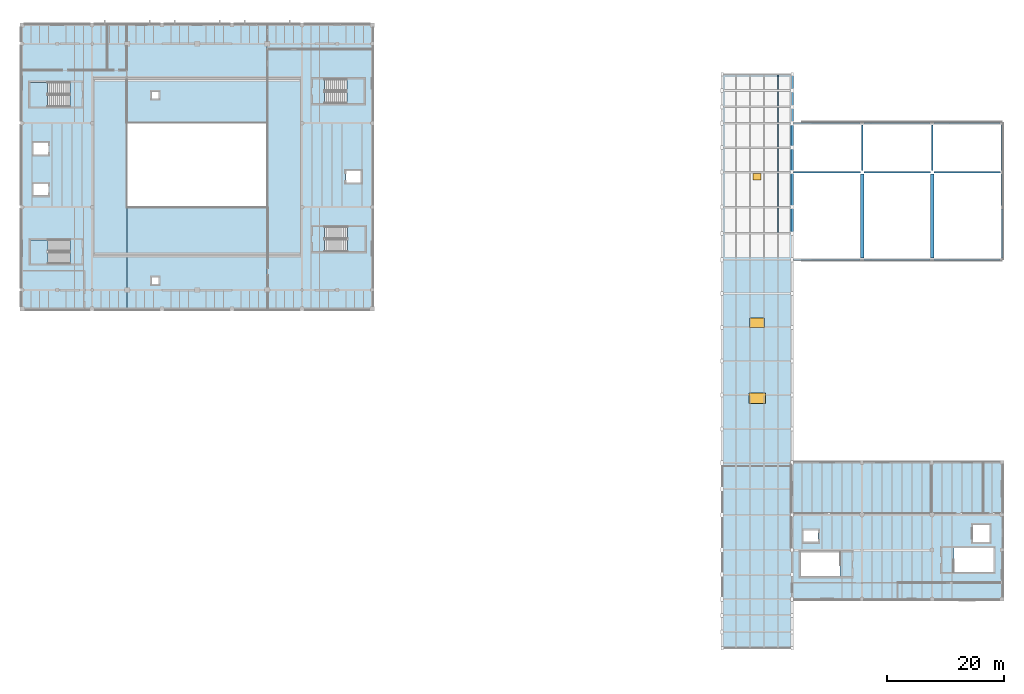
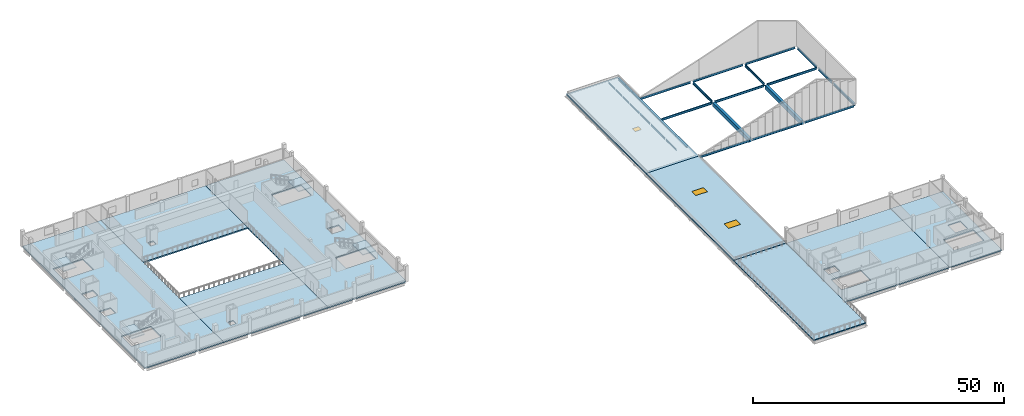
# One storey, part 5 of 19: 30 beams, 13 slabs, 2 windows, 1 door, 3 openings, 4 elements without a shape of their own.
"""IFC4 building model written with IfcOpenShell, lengths in metres."""

from ifc_helpers import new_model, si_unit, direction, frame, origin, origin_2d, place, context, subcontext, project, spatial, polyline, rectangle, i_section, outline, extrude, material, layer, layer_set, material_profile, profile_set, type_object, element, fill, aggregate, save


model = new_model("IFC4")

# Units and contexts
model_context = context("Model", 3, precision=1e-05, world=origin(), true_north=direction((0.0, 1.0)))
body_context = subcontext(model_context, "Body", "Model", "MODEL_VIEW")
ifc_project = project(units=[si_unit("LENGTHUNIT", "METRE"), si_unit("AREAUNIT", "SQUARE_METRE"), si_unit("VOLUMEUNIT", "CUBIC_METRE"), si_unit("PLANEANGLEUNIT", "RADIAN"), si_unit("MASSUNIT", "GRAM", prefix="KILO")], contexts=[model_context])

# Site, building, storey
site_placement = place(None, origin())
site = spatial("IfcSite", under=ifc_project, at=site_placement, CompositionType="ELEMENT")
building_placement = place(site_placement, origin())
building = spatial("IfcBuilding", under=site, at=building_placement, Name="Kelmvaro Bay Concert Hall", CompositionType="ELEMENT")
storey_placement = place(building_placement, frame((0.0, 0.0, 18.300048828125)))
storey = spatial("IfcBuildingStorey", under=building, at=storey_placement, Name="L04", CompositionType="ELEMENT", Elevation=18.300048828125)

# Beams
ifc_material_1 = material(Name="Steel ASTM A992 Grade 50", Category="steel")
ifc_material_profile_1 = material_profile(ifc_material_1, i_section(OverallWidth=0.40087890625, OverallDepth=0.39404296875, WebThickness=0.022705078125, FlangeThickness=0.03662109375, at=origin_2d()), Name="W14X193")
ifc_profile_set_1 = profile_set([ifc_material_profile_1], Name="Steel ASTM A992 Grade 50")
beam_type_1 = type_object("IfcBeamType", Name="Bridge Cantilever Chord W14x193", PredefinedType="BEAM", material=ifc_profile_set_1)
for number, where, z_axis, x_axis, name in (
    (1, (132.0, 97.199951171875, -0.47705078125), (0.0, 1.0, 0.0), (-1.0, 0.0, 0.0), "Bridge Truss E Top Chord 20"),
    (2, (132.0, 100.0, -0.47705078125), (0.0, 1.0, 0.0), (-1.0, 0.0, 0.0), "Bridge Truss E Top Chord 21"),
    (3, (132.0, 102.800048828125, -0.47705078125), (0.0, 1.0, 0.0), (-1.0, 0.0, 0.0), "Bridge Truss E Top Chord 22"),
):
    element("IfcBeam", number, at=place(storey_placement, frame(where, z_axis=z_axis, x_axis=x_axis)), inside=storey, type_object=beam_type_1, Name=name, PredefinedType="BEAM", context=body_context, shape_type="SweptSolid", body=[
        extrude(i_section(OverallWidth=0.40087890625, OverallDepth=0.39404296875, WebThickness=0.022705078125, FlangeThickness=0.03662109375, at=origin_2d()), origin(), (0.0, 0.0, 1.0), 2.800048828125),
    ])
ifc_material_2 = material(Name="Steel ASTM A992 Grade 50", Category="steel")
ifc_material_profile_2 = material_profile(ifc_material_2, i_section(OverallWidth=0.177978515625, OverallDepth=0.406005859375, WebThickness=0.0078125, FlangeThickness=0.0126953125, at=origin_2d()), Name="W16X40")
ifc_profile_set_2 = profile_set([ifc_material_profile_2], Name="Steel ASTM A992 Grade 50")
beam_type_2 = type_object("IfcBeamType", Name="Bridge Deck Floor Joist W16x40", PredefinedType="JOIST", material=ifc_profile_set_2)
beam_1_placement = place(storey_placement, frame((129.60009765625, 78.43359375, -0.483154296875), z_axis=(0.0, 1.0, 0.0), x_axis=(-1.0, 0.0, 0.0)))
element("IfcBeam", 4, at=beam_1_placement, inside=storey, type_object=beam_type_2, Name="Bridge Deck Joist L04-16", PredefinedType="JOIST", context=body_context, shape_type="SweptSolid", body=[
    extrude(i_section(OverallWidth=0.177978515625, OverallDepth=0.406005859375, WebThickness=0.0078125, FlangeThickness=0.0126953125, at=origin_2d()), origin(), (0.0, 0.0, 1.0), 4.23291015625),
])
beam_2_placement = place(storey_placement, frame((129.60009765625, 82.93359375, -0.483154296875), z_axis=(0.0, 1.0, 0.0), x_axis=(-1.0, 0.0, 0.0)))
element("IfcBeam", 5, at=beam_2_placement, inside=storey, type_object=beam_type_2, Name="Bridge Deck Joist L04-17", PredefinedType="JOIST", context=body_context, shape_type="SweptSolid", body=[
    extrude(i_section(OverallWidth=0.177978515625, OverallDepth=0.406005859375, WebThickness=0.0078125, FlangeThickness=0.0126953125, at=origin_2d()), origin(), (0.0, 0.0, 1.0), 5.73291015625),
])
for number, where, z_axis, x_axis, name in (
    (6, (129.60009765625, 88.93359375, -0.483154296875), (0.0, 1.0, 0.0), (-1.0, 0.0, 0.0), "Bridge Deck Joist L04-18"),
    (7, (129.60009765625, 93.133544921875, -0.483154296875), (0.0, 1.0, 0.0), (-1.0, 0.0, 0.0), "Bridge Deck Joist L04-19"),
):
    element("IfcBeam", number, at=place(storey_placement, frame(where, z_axis=z_axis, x_axis=x_axis)), inside=storey, type_object=beam_type_2, Name=name, PredefinedType="JOIST", context=body_context, shape_type="SweptSolid", body=[
        extrude(i_section(OverallWidth=0.177978515625, OverallDepth=0.406005859375, WebThickness=0.0078125, FlangeThickness=0.0126953125, at=origin_2d()), origin(), (0.0, 0.0, 1.0), 3.932861328125),
    ])
for number, where, z_axis, x_axis, name in (
    (8, (129.60009765625, 97.33349609375, -0.483154296875), (0.0, 1.0, 0.0), (-1.0, 0.0, 0.0), "Bridge Deck Joist L04-20"),
    (9, (129.60009765625, 100.133544921875, -0.483154296875), (0.0, 1.0, 0.0), (-1.0, 0.0, 0.0), "Bridge Deck Joist L04-21"),
    (10, (129.60009765625, 102.93359375, -0.483154296875), (0.0, 1.0, 0.0), (-1.0, 0.0, 0.0), "Bridge Deck Joist L04-22"),
):
    element("IfcBeam", number, at=place(storey_placement, frame(where, z_axis=z_axis, x_axis=x_axis)), inside=storey, type_object=beam_type_2, Name=name, PredefinedType="JOIST", context=body_context, shape_type="SweptSolid", body=[
        extrude(i_section(OverallWidth=0.177978515625, OverallDepth=0.406005859375, WebThickness=0.0078125, FlangeThickness=0.0126953125, at=origin_2d()), origin(), (0.0, 0.0, 1.0), 2.532958984375),
    ])
ifc_material_3 = material(Name="Steel ASTM A992 Grade 50", Category="steel")
ifc_material_profile_3 = material_profile(ifc_material_3, i_section(OverallWidth=0.40087890625, OverallDepth=0.39892578125, WebThickness=0.02490234375, FlangeThickness=0.03955078125, at=origin_2d()), Name="W14X211")
ifc_profile_set_3 = profile_set([ifc_material_profile_3], Name="Steel ASTM A992 Grade 50")
beam_type_3 = type_object("IfcBeamType", Name="Bridge Truss Top Chord W14x211", PredefinedType="BEAM", material=ifc_profile_set_3)
beam_3_placement = place(storey_placement, frame((132.0, 78.300048828125, -0.4794921875), z_axis=(0.0, 1.0, 0.0), x_axis=(-1.0, 0.0, 0.0)))
element("IfcBeam", 11, at=beam_3_placement, inside=storey, type_object=beam_type_3, Name="Bridge Truss E Top Chord 16", PredefinedType="BEAM", context=body_context, shape_type="SweptSolid", body=[
    extrude(i_section(OverallWidth=0.40087890625, OverallDepth=0.39892578125, WebThickness=0.02490234375, FlangeThickness=0.03955078125, at=origin_2d()), origin(), (0.0, 0.0, 1.0), 4.5),
])
beam_4_placement = place(storey_placement, frame((132.0, 82.800048828125, -0.4794921875), z_axis=(0.0, 1.0, 0.0), x_axis=(-1.0, 0.0, 0.0)))
element("IfcBeam", 12, at=beam_4_placement, inside=storey, type_object=beam_type_3, Name="Bridge Truss E Top Chord 17", PredefinedType="BEAM", context=body_context, shape_type="SweptSolid", body=[
    extrude(i_section(OverallWidth=0.40087890625, OverallDepth=0.39892578125, WebThickness=0.02490234375, FlangeThickness=0.03955078125, at=origin_2d()), origin(), (0.0, 0.0, 1.0), 6.0),
])
for number, where, z_axis, x_axis, name in (
    (13, (132.0, 88.800048828125, -0.4794921875), (0.0, 1.0, 0.0), (-1.0, 0.0, 0.0), "Bridge Truss E Top Chord 18"),
    (14, (132.0, 93.0, -0.4794921875), (0.0, 1.0, 0.0), (-1.0, 0.0, 0.0), "Bridge Truss E Top Chord 19"),
):
    element("IfcBeam", number, at=place(storey_placement, frame(where, z_axis=z_axis, x_axis=x_axis)), inside=storey, type_object=beam_type_3, Name=name, PredefinedType="BEAM", context=body_context, shape_type="SweptSolid", body=[
        extrude(i_section(OverallWidth=0.40087890625, OverallDepth=0.39892578125, WebThickness=0.02490234375, FlangeThickness=0.03955078125, at=origin_2d()), origin(), (0.0, 0.0, 1.0), 4.199951171875),
    ])
ifc_material_4 = material(Name="Steel ASTM A992 Grade 50", Category="steel")
ifc_material_profile_4 = material_profile(ifc_material_4, i_section(OverallWidth=0.2099609375, OverallDepth=0.535888671875, WebThickness=0.010986328125, FlangeThickness=0.017333984375, at=origin_2d()), Name="W21X68")
ifc_profile_set_4 = profile_set([ifc_material_profile_4], Name="Steel ASTM A992 Grade 50")
beam_type_4 = type_object("IfcBeamType", Name="Crystal Roof Tie Girder W21x68", PredefinedType="BEAM", material=ifc_profile_set_4)
beam_5_placement = place(storey_placement, frame((132.200439453125, 73.800048828125, -0.26806640625), z_axis=(1.0, 0.0, 0.0), x_axis=(0.0, 1.0, 0.0)))
element("IfcBeam", 15, at=beam_5_placement, inside=storey, type_object=beam_type_4, Name="L04 Girder BM-L04-EW-1727", PredefinedType="BEAM", context=body_context, shape_type="SweptSolid", body=[
    extrude(i_section(OverallWidth=0.2099609375, OverallDepth=0.535888671875, WebThickness=0.010986328125, FlangeThickness=0.017333984375, at=origin_2d()), origin(), (0.0, 0.0, 1.0), 11.474609375),
])
for number, where, z_axis, x_axis, name in (
    (16, (144.324951171875, 73.800048828125, -0.26806640625), (1.0, 0.0, 0.0), (0.0, 1.0, 0.0), "L04 Girder BM-L04-EW-1728"),
    (17, (156.324951171875, 73.800048828125, -0.26806640625), (1.0, 0.0, 0.0), (0.0, 1.0, 0.0), "L04 Girder BM-L04-EW-1729"),
):
    element("IfcBeam", number, at=place(storey_placement, frame(where, z_axis=z_axis, x_axis=x_axis)), inside=storey, type_object=beam_type_4, Name=name, PredefinedType="BEAM", context=body_context, shape_type="SweptSolid", body=[
        extrude(i_section(OverallWidth=0.2099609375, OverallDepth=0.535888671875, WebThickness=0.010986328125, FlangeThickness=0.017333984375, at=origin_2d()), origin(), (0.0, 0.0, 1.0), 11.35009765625),
    ])
beam_6_placement = place(storey_placement, frame((132.200439453125, 88.800048828125, -0.26806640625), z_axis=(1.0, 0.0, 0.0), x_axis=(0.0, 1.0, 0.0)))
element("IfcBeam", 18, at=beam_6_placement, inside=storey, type_object=beam_type_4, Name="L04 Girder BM-L04-EW-1732", PredefinedType="BEAM", context=body_context, shape_type="SweptSolid", body=[
    extrude(i_section(OverallWidth=0.2099609375, OverallDepth=0.535888671875, WebThickness=0.010986328125, FlangeThickness=0.017333984375, at=origin_2d()), origin(), (0.0, 0.0, 1.0), 11.49951171875),
])
for number, where, z_axis, x_axis, name in (
    (19, (144.300048828125, 88.800048828125, -0.26806640625), (1.0, 0.0, 0.0), (0.0, 1.0, 0.0), "L04 Girder BM-L04-EW-1733"),
    (20, (156.300048828125, 88.800048828125, -0.26806640625), (1.0, 0.0, 0.0), (0.0, 1.0, 0.0), "L04 Girder BM-L04-EW-1734"),
):
    element("IfcBeam", number, at=place(storey_placement, frame(where, z_axis=z_axis, x_axis=x_axis)), inside=storey, type_object=beam_type_4, Name=name, PredefinedType="BEAM", context=body_context, shape_type="SweptSolid", body=[
        extrude(i_section(OverallWidth=0.2099609375, OverallDepth=0.535888671875, WebThickness=0.010986328125, FlangeThickness=0.017333984375, at=origin_2d()), origin(), (0.0, 0.0, 1.0), 11.39990234375),
    ])
beam_7_placement = place(storey_placement, frame((132.200439453125, 97.199951171875, -0.26806640625), z_axis=(1.0, 0.0, 0.0), x_axis=(0.0, 1.0, 0.0)))
element("IfcBeam", 21, at=beam_7_placement, inside=storey, type_object=beam_type_4, Name="L04 Girder BM-L04-EW-1737", PredefinedType="BEAM", context=body_context, shape_type="SweptSolid", body=[
    extrude(i_section(OverallWidth=0.2099609375, OverallDepth=0.535888671875, WebThickness=0.010986328125, FlangeThickness=0.017333984375, at=origin_2d()), origin(), (0.0, 0.0, 1.0), 11.474609375),
])
for number, where, z_axis, x_axis, name in (
    (22, (144.324951171875, 97.199951171875, -0.26806640625), (1.0, 0.0, 0.0), (0.0, 1.0, 0.0), "L04 Girder BM-L04-EW-1738"),
    (23, (156.324951171875, 97.199951171875, -0.26806640625), (1.0, 0.0, 0.0), (0.0, 1.0, 0.0), "L04 Girder BM-L04-EW-1739"),
):
    element("IfcBeam", number, at=place(storey_placement, frame(where, z_axis=z_axis, x_axis=x_axis)), inside=storey, type_object=beam_type_4, Name=name, PredefinedType="BEAM", context=body_context, shape_type="SweptSolid", body=[
        extrude(i_section(OverallWidth=0.2099609375, OverallDepth=0.535888671875, WebThickness=0.010986328125, FlangeThickness=0.017333984375, at=origin_2d()), origin(), (0.0, 0.0, 1.0), 11.35009765625),
    ])
ifc_material_5 = material(Name="Steel ASTM A992 Grade 50", Category="steel")
ifc_material_profile_5 = material_profile(ifc_material_5, i_section(OverallWidth=0.323974609375, OverallDepth=0.611083984375, WebThickness=0.0126953125, FlangeThickness=0.01904296875, at=origin_2d()), Name="W24X104")
ifc_profile_set_5 = profile_set([ifc_material_profile_5], Name="Steel ASTM A992 Grade 50")
beam_type_5 = type_object("IfcBeamType", Name="Foyer Frame Girder W24x104", PredefinedType="BEAM", material=ifc_profile_set_5)
beam_8_placement = place(storey_placement, frame((168.0, 74.125, -0.3056640625), z_axis=(0.0, 1.0, 0.0), x_axis=(-1.0, 0.0, 0.0)))
element("IfcBeam", 24, at=beam_8_placement, inside=storey, type_object=beam_type_5, Name="L04 Girder BM-L04-NS-1785", PredefinedType="BEAM", context=body_context, shape_type="SweptSolid", body=[
    extrude(i_section(OverallWidth=0.323974609375, OverallDepth=0.611083984375, WebThickness=0.0126953125, FlangeThickness=0.01904296875, at=origin_2d()), origin(), (0.0, 0.0, 1.0), 8.375),
])
ifc_material_6 = material(Name="Concrete C40/50", Category="concrete")
ifc_material_profile_6 = material_profile(ifc_material_6, rectangle(XDim=0.60009765625, YDim=0.949951171875, at=origin_2d()), Name="RC-BM-600X950")
ifc_profile_set_6 = profile_set([ifc_material_profile_6], Name="Concrete C40/50")
beam_type_6 = type_object("IfcBeamType", Name="Hall Primary Girder RC600x950", PredefinedType="BEAM", material=ifc_profile_set_6)
for number, where, z_axis, x_axis, name in (
    (25, (144.0, 74.125, -0.47509765625), (0.0, 1.0, 0.0), (-1.0, 0.0, 0.0), "L04 Girder BM-L04-NS-1775"),
    (26, (156.0, 74.125, -0.47509765625), (0.0, 1.0, 0.0), (-1.0, 0.0, 0.0), "L04 Girder BM-L04-NS-1780"),
):
    element("IfcBeam", number, at=place(storey_placement, frame(where, z_axis=z_axis, x_axis=x_axis)), inside=storey, type_object=beam_type_6, Name=name, PredefinedType="BEAM", context=body_context, shape_type="SweptSolid", body=[
        extrude(rectangle(XDim=0.60009765625, YDim=0.949951171875, at=origin_2d()), origin(), (0.0, 0.0, 1.0), 14.375),
    ])
ifc_material_7 = material(Name="Steel ASTM A992 Grade 50", Category="steel")
ifc_material_profile_7 = material_profile(ifc_material_7, i_section(OverallWidth=0.22900390625, OverallDepth=0.612060546875, WebThickness=0.011962890625, FlangeThickness=0.01953125, at=origin_2d()), Name="W24X84")
ifc_profile_set_7 = profile_set([ifc_material_profile_7], Name="Steel ASTM A992 Grade 50")
beam_type_7 = type_object("IfcBeamType", Name="Terrace Edge Girder W24x84", PredefinedType="BEAM", material=ifc_profile_set_7)
for number, where, z_axis, x_axis, name in (
    (27, (144.0, 89.10009765625, -0.30615234375), (0.0, 1.0, 0.0), (-1.0, 0.0, 0.0), "L04 Girder BM-L04-NS-1776"),
    (28, (156.0, 89.10009765625, -0.30615234375), (0.0, 1.0, 0.0), (-1.0, 0.0, 0.0), "L04 Girder BM-L04-NS-1781"),
):
    element("IfcBeam", number, at=place(storey_placement, frame(where, z_axis=z_axis, x_axis=x_axis)), inside=storey, type_object=beam_type_7, Name=name, PredefinedType="BEAM", context=body_context, shape_type="SweptSolid", body=[
        extrude(i_section(OverallWidth=0.22900390625, OverallDepth=0.612060546875, WebThickness=0.011962890625, FlangeThickness=0.01953125, at=origin_2d()), origin(), (0.0, 0.0, 1.0), 7.77490234375),
    ])
beam_9_placement = place(storey_placement, frame((168.0, 83.10009765625, -0.30615234375), z_axis=(0.0, 1.0, 0.0), x_axis=(-1.0, 0.0, 0.0)))
element("IfcBeam", 29, at=beam_9_placement, inside=storey, type_object=beam_type_7, Name="L04 Girder BM-L04-NS-1786", PredefinedType="BEAM", context=body_context, shape_type="SweptSolid", body=[
    extrude(i_section(OverallWidth=0.22900390625, OverallDepth=0.612060546875, WebThickness=0.011962890625, FlangeThickness=0.01953125, at=origin_2d()), origin(), (0.0, 0.0, 1.0), 5.39990234375),
])
beam_10_placement = place(storey_placement, frame((168.0, 89.10009765625, -0.30615234375), z_axis=(0.0, 1.0, 0.0), x_axis=(-1.0, 0.0, 0.0)))
element("IfcBeam", 30, at=beam_10_placement, inside=storey, type_object=beam_type_7, Name="L04 Girder BM-L04-NS-1787", PredefinedType="BEAM", context=body_context, shape_type="SweptSolid", body=[
    extrude(i_section(OverallWidth=0.22900390625, OverallDepth=0.612060546875, WebThickness=0.011962890625, FlangeThickness=0.01953125, at=origin_2d()), origin(), (0.0, 0.0, 1.0), 7.77490234375),
])

# Slabs
ifc_material_8 = material(Name="Concrete C40/50", Category="concrete")
ifc_layer_1 = layer(ifc_material_8, 0.300048828125)
ifc_layer_set_1 = layer_set([ifc_layer_1], Name="Concrete C40/50")
slab_type_1 = type_object("IfcSlabType", Name="Auditorium Tier Structural Slab 300", PredefinedType="FLOOR", material=ifc_layer_set_1)
slab_1_placement = place(storey_placement, frame((0.0, 0.0, -0.300048828125)))
element("IfcSlab", 31, at=slab_1_placement, inside=storey, type_object=slab_type_1, Name="L04 Structural Slab V1-W", PredefinedType="FLOOR", context=body_context, shape_type="SweptSolid", body=[
    extrude(outline(polyline([(0.0, 65.39990234375), (18.0, 65.39990234375), (18.0, 114.0), (0.0, 114.0), (0.0, 65.39990234375)]), holes=[polyline([(1.45068359375, 73.090576171875), (8.219482421875, 73.090576171875), (8.219482421875, 77.199462890625), (1.45068359375, 77.199462890625), (1.45068359375, 73.090576171875)]), polyline([(1.3505859375, 100.010498046875), (8.179443359375, 100.010498046875), (8.179443359375, 104.199462890625), (1.3505859375, 104.199462890625), (1.3505859375, 100.010498046875)]), polyline([(1.925048828125, 84.800048828125), (4.47509765625, 84.800048828125), (4.47509765625, 86.800048828125), (1.925048828125, 86.800048828125), (1.925048828125, 84.800048828125)]), polyline([(1.925048828125, 91.800048828125), (4.47509765625, 91.800048828125), (4.47509765625, 93.800048828125), (1.925048828125, 93.800048828125), (1.925048828125, 91.800048828125)])]), origin(), (0.0, 0.0, 1.0), 0.300048828125),
])
slab_2_placement = place(storey_placement, frame((0.0, 0.0, -0.300048828125)))
element("IfcSlab", 32, at=slab_2_placement, inside=storey, type_object=slab_type_1, Name="L04 Structural Slab V1-M", PredefinedType="FLOOR", context=body_context, shape_type="SweptSolid", body=[
    extrude(outline(polyline([(18.0, 65.39990234375), (42.0, 65.39990234375), (42.0, 82.800048828125), (18.0, 82.800048828125), (18.0, 65.39990234375)]), holes=[polyline([(22.199951171875, 69.60009765625), (23.39990234375, 69.60009765625), (23.39990234375, 70.800048828125), (22.199951171875, 70.800048828125), (22.199951171875, 69.60009765625)])]), origin(), (0.0, 0.0, 1.0), 0.300048828125),
])
slab_3_placement = place(storey_placement, frame((0.0, 0.0, -0.300048828125)))
element("IfcSlab", 33, at=slab_3_placement, inside=storey, type_object=slab_type_1, Name="L04 Structural Slab V1-N", PredefinedType="FLOOR", context=body_context, shape_type="SweptSolid", body=[
    extrude(outline(polyline([(18.0, 97.199951171875), (42.0, 97.199951171875), (42.0, 114.0), (18.0, 114.0), (18.0, 97.199951171875)]), holes=[polyline([(22.199951171875, 101.39990234375), (23.39990234375, 101.39990234375), (23.39990234375, 102.60009765625), (22.199951171875, 102.60009765625), (22.199951171875, 101.39990234375)])]), origin(), (0.0, 0.0, 1.0), 0.300048828125),
])
slab_4_placement = place(storey_placement, frame((0.0, 0.0, -0.300048828125)))
element("IfcSlab", 34, at=slab_4_placement, inside=storey, type_object=slab_type_1, Name="L04 Structural Slab V1-E", PredefinedType="FLOOR", context=body_context, shape_type="SweptSolid", body=[
    extrude(outline(polyline([(42.0, 65.39990234375), (60.0, 65.39990234375), (60.0, 114.0), (42.0, 114.0), (42.0, 65.39990234375)]), holes=[polyline([(51.800537109375, 100.6005859375), (58.599365234375, 100.6005859375), (58.599365234375, 104.74951171875), (51.800537109375, 104.74951171875), (51.800537109375, 100.6005859375)]), polyline([(51.8505859375, 75.20068359375), (58.74951171875, 75.20068359375), (58.74951171875, 79.449462890625), (51.8505859375, 79.449462890625), (51.8505859375, 75.20068359375)]), polyline([(55.52490234375, 87.0), (58.074951171875, 87.0), (58.074951171875, 89.0), (55.52490234375, 89.0), (55.52490234375, 87.0)])]), origin(), (0.0, 0.0, 1.0), 0.300048828125),
])

# Slab, openings, windows
ifc_material_9 = material(Name="Concrete C40/50", Category="concrete")
ifc_layer_2 = layer(ifc_material_9, 0.340087890625)
ifc_layer_set_2 = layer_set([ifc_layer_2], Name="Concrete C40/50")
slab_type_2 = type_object("IfcSlabType", Name="Bridge Acoustic Roof Structural Slab 340", PredefinedType="ROOF", material=ifc_layer_set_2)
slab_5_placement = place(storey_placement, frame((0.0, 0.0, -0.280029296875)))
slab_5 = element("IfcSlab", 35, at=slab_5_placement, inside=storey, type_object=slab_type_2, Name="L04 Roof Slab RF-BRGM", PredefinedType="ROOF", context=body_context, shape_type="SweptSolid", body=[
    extrude(outline(polyline([(120.0, 39.0), (132.0, 39.0), (132.0, 73.800048828125), (120.0, 73.800048828125), (120.0, 39.0)])), origin(), (0.0, 0.0, 1.0), 0.340087890625),
])
opening_1_placement = place(slab_5_placement, frame((126.0, 50.0, 0.0)))
opening_1 = element("IfcOpeningElement", 36, at=opening_1_placement, cuts=slab_5, Name="Opening SK-02", PredefinedType="OPENING", context=body_context, shape_type="SweptSolid", body=[
    extrude(rectangle(XDim=2.800048828125, YDim=1.800048828125, at=origin_2d()), origin(), (0.0, 0.0, 1.0), 0.340087890625),
])
opening_2_placement = place(slab_5_placement, frame((126.0, 63.0, 0.0)))
opening_2 = element("IfcOpeningElement", 37, at=opening_2_placement, cuts=slab_5, Name="Opening SK-05", PredefinedType="OPENING", context=body_context, shape_type="SweptSolid", body=[
    extrude(rectangle(XDim=2.60009765625, YDim=1.60009765625, at=origin_2d()), origin(), (0.0, 0.0, 1.0), 0.340087890625),
])
ifc_material_10 = material(Name="Hurricane Laminated Insulated Skylight Glazing", Category="glass")
window_type_1 = type_object("IfcWindowType", Name="Canopy Promenade Skylight 2600x1600", PartitioningType="SINGLE_PANEL", PredefinedType="SKYLIGHT", material=ifc_material_10)
window_1_placement = place(opening_2_placement, frame((0.0, 0.0, 0.2900390625)))
window_1 = element("IfcWindow", 38, at=window_1_placement, inside=storey, type_object=window_type_1, Name="L04 Roof Skylight 09", OverallHeight=1.60009765625, OverallWidth=2.60009765625, PartitioningType="SINGLE_PANEL", PredefinedType="SKYLIGHT", context=body_context, shape_type="SweptSolid", body=[
    extrude(rectangle(XDim=2.60009765625, YDim=1.60009765625, at=origin_2d()), origin(), (0.0, 0.0, 1.0), 0.050048828125),
])
fill(opening_2, window_1)
ifc_material_11 = material(Name="Hurricane Laminated Insulated Skylight Glazing", Category="glass")
window_type_2 = type_object("IfcWindowType", Name="Concourse Lantern Skylight 2800x1800", PartitioningType="SINGLE_PANEL", PredefinedType="SKYLIGHT", material=ifc_material_11)
window_2_placement = place(opening_1_placement, frame((0.0, 0.0, 0.2900390625)))
window_2 = element("IfcWindow", 39, at=window_2_placement, inside=storey, type_object=window_type_2, Name="L04 Roof Skylight 08", OverallHeight=1.800048828125, OverallWidth=2.800048828125, PartitioningType="SINGLE_PANEL", PredefinedType="SKYLIGHT", context=body_context, shape_type="SweptSolid", body=[
    extrude(rectangle(XDim=2.800048828125, YDim=1.800048828125, at=origin_2d()), origin(), (0.0, 0.0, 1.0), 0.050048828125),
])
fill(opening_1, window_2)

# Slab, opening, door
slab_6_placement = place(storey_placement, frame((0.0, 0.0, -0.280029296875)))
slab_6 = element("IfcSlab", 40, at=slab_6_placement, inside=storey, type_object=slab_type_2, Name="L04 Roof Slab RF-BRGN", PredefinedType="ROOF", context=body_context, shape_type="SweptSolid", body=[
    extrude(outline(polyline([(120.0, 73.800048828125), (132.0, 73.800048828125), (132.0, 105.60009765625), (120.0, 105.60009765625), (120.0, 73.800048828125)])), origin(), (0.0, 0.0, 1.0), 0.340087890625),
])
opening_3_placement = place(slab_6_placement, frame((126.0, 88.0, 0.0)))
opening_3 = element("IfcOpeningElement", 41, at=opening_3_placement, cuts=slab_6, Name="Opening RH-02", PredefinedType="OPENING", context=body_context, shape_type="SweptSolid", body=[
    extrude(rectangle(XDim=1.39990234375, YDim=1.10009765625, at=origin_2d()), origin(), (0.0, 0.0, 1.0), 0.340087890625),
])
ifc_material_12 = material(Name="Insulated Powder-Coated Aluminium", Category="aluminium")
door_type = type_object("IfcDoorType", Name="Smoke Vent and Roof Access Hatch 1400x1100", OperationType="NOTDEFINED", PredefinedType="TRAPDOOR", material=ifc_material_12)
door_placement = place(opening_3_placement, frame((0.0, 0.0, 0.2900390625)))
door = element("IfcDoor", 42, at=door_placement, inside=storey, type_object=door_type, Name="L04 Roof Access Hatch 07", OperationType="SINGLE_SWING_LEFT", OverallHeight=1.10009765625, OverallWidth=1.39990234375, PredefinedType="TRAPDOOR", context=body_context, shape_type="SweptSolid", body=[
    extrude(rectangle(XDim=1.39990234375, YDim=1.10009765625, at=origin_2d()), origin(), (0.0, 0.0, 1.0), 0.050048828125),
])
fill(opening_3, door)

# Stair, slab
ifc_material_13 = material(Name="Concrete C40/50", Category="concrete")
stair_type_1 = type_object("IfcStairType", Name="Core Dogleg Exit Stair 1980", PredefinedType="USERDEFINED", material=ifc_material_13)
stair_1_placement = place(storey_placement, origin())
stair_1 = element("IfcStair", 43, at=stair_1_placement, inside=storey, type_object=stair_type_1, Name="L04 Exit Stair ST-01", ObjectType="TWO_RETURN_STAIR", PredefinedType="USERDEFINED")
ifc_material_14 = material(Name="Concrete C40/50", Category="concrete")
ifc_layer_3 = layer(ifc_material_14, 0.199951171875)
ifc_layer_set_3 = layer_set([ifc_layer_3], Name="Concrete C40/50")
slab_type_3 = type_object("IfcSlabType", Name="Core Stair Half-Landing Slab 200", PredefinedType="LANDING", material=ifc_layer_set_3)
slab_7_placement = place(storey_placement, frame((0.0, 0.0, 1.75)))
slab_7 = element("IfcSlab", 44, at=slab_7_placement, type_object=slab_type_3, Name="ST-01 landing 1", PredefinedType="LANDING", context=body_context, shape_type="SweptSolid", body=[
    extrude(outline(polyline([(4.39208984375, 77.199951171875), (1.449951171875, 77.199951171875), (1.449951171875, 73.090087890625), (4.39208984375, 73.090087890625), (4.39208984375, 77.199951171875)])), origin(), (0.0, 0.0, 1.0), 0.199951171875),
])
aggregate(stair_1, [slab_7])

ifc_material_15 = material(Name="Concrete C40/50", Category="concrete")
stair_type_2 = type_object("IfcStairType", Name="Core Dogleg Exit Stair 2000", PredefinedType="USERDEFINED", material=ifc_material_15)
stair_2_placement = place(storey_placement, origin())
stair_2 = element("IfcStair", 45, at=stair_2_placement, inside=storey, type_object=stair_type_2, Name="L04 Exit Stair ST-02", ObjectType="TWO_RETURN_STAIR", PredefinedType="USERDEFINED")
slab_8_placement = place(storey_placement, frame((0.0, 0.0, 1.75)))
slab_8 = element("IfcSlab", 46, at=slab_8_placement, type_object=slab_type_3, Name="ST-02 landing 1", PredefinedType="LANDING", context=body_context, shape_type="SweptSolid", body=[
    extrude(outline(polyline([(55.64990234375, 100.60009765625), (58.60009765625, 100.60009765625), (58.60009765625, 104.75), (55.64990234375, 104.75), (55.64990234375, 100.60009765625)])), origin(), (0.0, 0.0, 1.0), 0.199951171875),
])
aggregate(stair_2, [slab_8])

ifc_material_16 = material(Name="Concrete C40/50", Category="concrete")
stair_type_3 = type_object("IfcStairType", Name="Core Dogleg Exit Stair 2020", PredefinedType="USERDEFINED", material=ifc_material_16)
stair_3_placement = place(storey_placement, origin())
stair_3 = element("IfcStair", 47, at=stair_3_placement, inside=storey, type_object=stair_type_3, Name="L04 Exit Stair ST-03", ObjectType="TWO_RETURN_STAIR", PredefinedType="USERDEFINED")
slab_9_placement = place(storey_placement, frame((0.0, 0.0, 1.75)))
slab_9 = element("IfcSlab", 48, at=slab_9_placement, type_object=slab_type_3, Name="ST-03 landing 1", PredefinedType="LANDING", context=body_context, shape_type="SweptSolid", body=[
    extrude(outline(polyline([(4.30810546875, 104.199951171875), (1.35009765625, 104.199951171875), (1.35009765625, 100.010009765625), (4.30810546875, 100.010009765625), (4.30810546875, 104.199951171875)])), origin(), (0.0, 0.0, 1.0), 0.199951171875),
])
aggregate(stair_3, [slab_9])

ifc_material_17 = material(Name="Concrete C40/50", Category="concrete")
stair_type_4 = type_object("IfcStairType", Name="Core Dogleg Exit Stair 2050", PredefinedType="USERDEFINED", material=ifc_material_17)
stair_4_placement = place(storey_placement, origin())
stair_4 = element("IfcStair", 49, at=stair_4_placement, inside=storey, type_object=stair_type_4, Name="L04 Exit Stair ST-04", ObjectType="TWO_RETURN_STAIR", PredefinedType="USERDEFINED")
slab_10_placement = place(storey_placement, frame((0.0, 0.0, 1.75)))
slab_10 = element("IfcSlab", 50, at=slab_10_placement, type_object=slab_type_3, Name="ST-04 landing 1", PredefinedType="LANDING", context=body_context, shape_type="SweptSolid", body=[
    extrude(outline(polyline([(55.7548828125, 75.199951171875), (58.75, 75.199951171875), (58.75, 79.449951171875), (55.7548828125, 79.449951171875), (55.7548828125, 75.199951171875)])), origin(), (0.0, 0.0, 1.0), 0.199951171875),
])
aggregate(stair_4, [slab_10])

# Slabs
ifc_material_18 = material(Name="Concrete C40/50", Category="concrete")
ifc_layer_4 = layer(ifc_material_18, 0.27001953125)
ifc_layer_set_4 = layer_set([ifc_layer_4], Name="Concrete C40/50")
slab_type_4 = type_object("IfcSlabType", Name="Soundtrack Suite Floor Slab 270", PredefinedType="FLOOR", material=ifc_layer_set_4)
slab_11_placement = place(storey_placement, frame((0.0, 0.0, -0.27001953125)))
element("IfcSlab", 51, at=slab_11_placement, inside=storey, type_object=slab_type_4, Name="L04 Structural Slab V4-A", PredefinedType="FLOOR", context=body_context, shape_type="SweptSolid", body=[
    extrude(outline(polyline([(132.0, 15.60009765625), (156.0, 15.60009765625), (156.0, 39.0), (132.0, 39.0), (132.0, 15.60009765625)]), holes=[polyline([(133.45068359375, 19.490478515625), (140.219482421875, 19.490478515625), (140.219482421875, 23.599365234375), (133.45068359375, 23.599365234375), (133.45068359375, 19.490478515625)]), polyline([(133.925048828125, 25.39990234375), (136.47509765625, 25.39990234375), (136.47509765625, 27.39990234375), (133.925048828125, 27.39990234375), (133.925048828125, 25.39990234375)])]), origin(), (0.0, 0.0, 1.0), 0.27001953125),
])
slab_12_placement = place(storey_placement, frame((0.0, 0.0, -0.27001953125)))
element("IfcSlab", 52, at=slab_12_placement, inside=storey, type_object=slab_type_4, Name="L04 Structural Slab V4-B", PredefinedType="FLOOR", context=body_context, shape_type="SweptSolid", body=[
    extrude(outline(polyline([(156.0, 15.60009765625), (168.0, 15.60009765625), (168.0, 39.0), (156.0, 39.0), (156.0, 15.60009765625)]), holes=[polyline([(159.720703125, 20.20068359375), (166.54931640625, 20.20068359375), (166.54931640625, 24.389404296875), (159.720703125, 24.389404296875), (159.720703125, 20.20068359375)]), polyline([(162.949951171875, 25.35009765625), (165.85009765625, 25.35009765625), (165.85009765625, 28.35009765625), (162.949951171875, 28.35009765625), (162.949951171875, 25.35009765625)])]), origin(), (0.0, 0.0, 1.0), 0.27001953125),
])
ifc_material_19 = material(Name="Concrete C40/50", Category="concrete")
ifc_layer_5 = layer(ifc_material_19, 0.239990234375)
ifc_layer_set_5 = layer_set([ifc_layer_5], Name="Concrete C40/50")
slab_type_5 = type_object("IfcSlabType", Name="Waterfront Terrace Deck Slab 240", PredefinedType="FLOOR", material=ifc_layer_set_5)
slab_13_placement = place(storey_placement, frame((0.0, 0.0, -0.239990234375)))
element("IfcSlab", 53, at=slab_13_placement, inside=storey, type_object=slab_type_5, Name="L04 Terrace Slab BRG-TS", PredefinedType="FLOOR", context=body_context, shape_type="SweptSolid", body=[
    extrude(outline(polyline([(120.0, 7.199951171875), (132.0, 7.199951171875), (132.0, 39.0), (120.0, 39.0), (120.0, 7.199951171875)])), origin(), (0.0, 0.0, 1.0), 0.239990234375),
])

save(model, "model.ifc")
